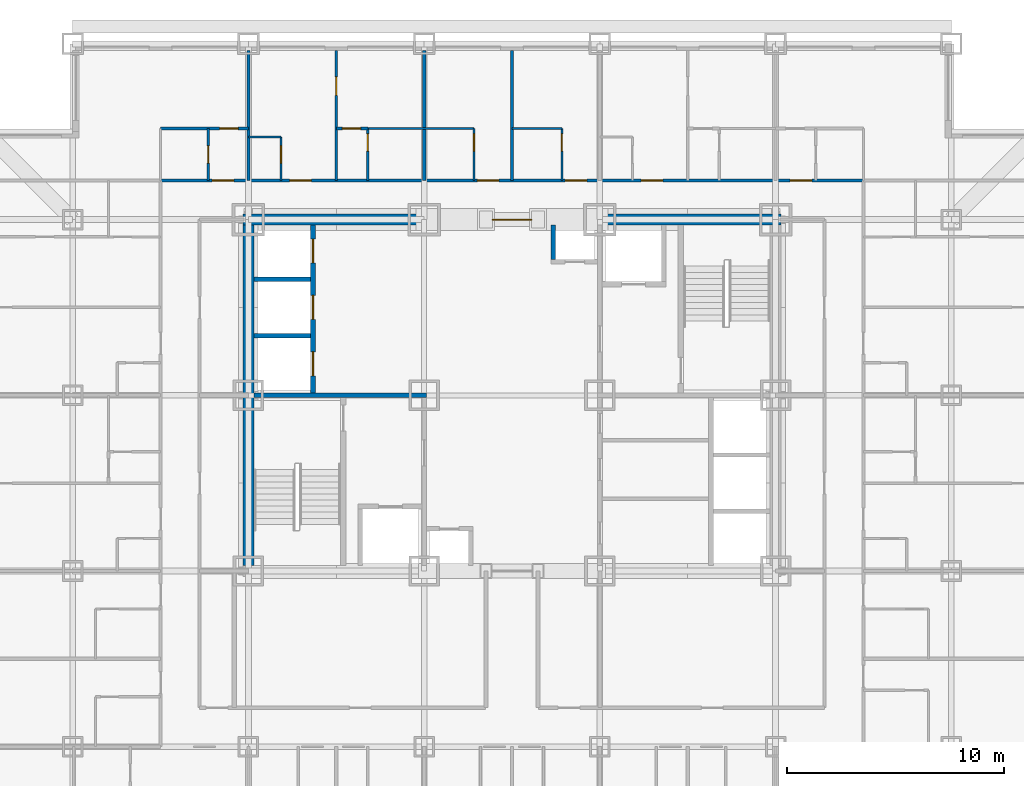
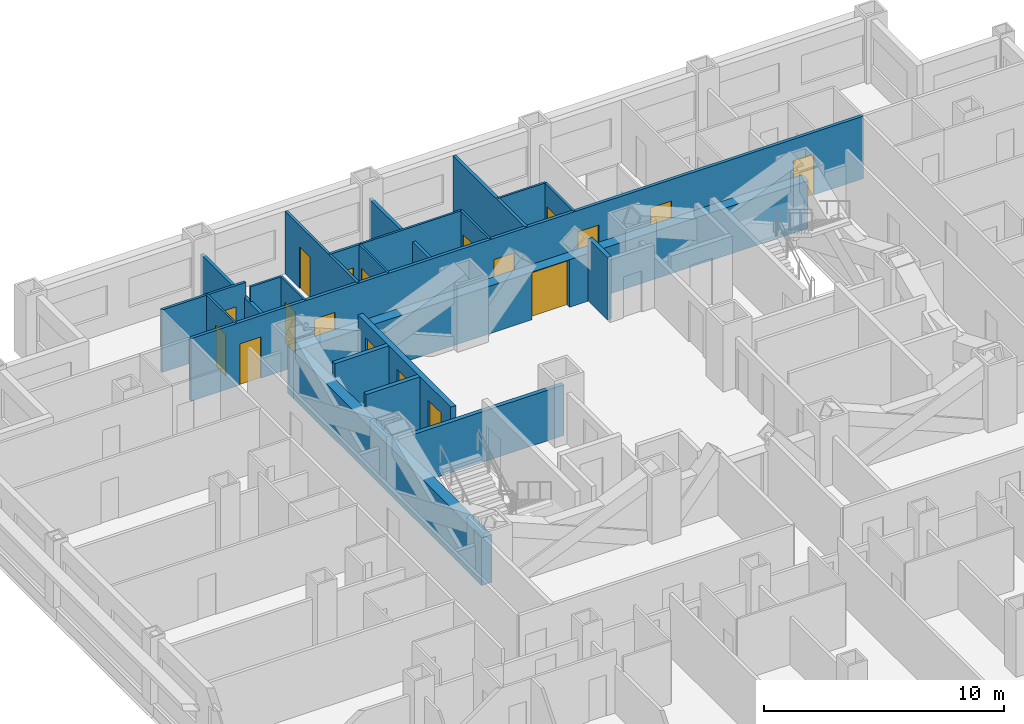
# One storey, part 8 of 11: 22 walls, 18 doors, 18 openings.
"""IFC4 building model written with IfcOpenShell, lengths in metres."""

from ifc_helpers import new_model, si_unit, direction, frame, frame_2d, origin, place, context, subcontext, project, spatial, rectangle, extrude, material, layer, layer_set, type_object, element, fill, save


model = new_model("IFC4")

# Units and contexts
model_context = context("Model", 3, precision=1e-05, world=origin(), true_north=direction((0.0, 1.0)))
body_context = subcontext(model_context, "Body", "Model", "MODEL_VIEW")
ifc_project = project(units=[si_unit("LENGTHUNIT", "METRE"), si_unit("AREAUNIT", "SQUARE_METRE"), si_unit("VOLUMEUNIT", "CUBIC_METRE"), si_unit("PLANEANGLEUNIT", "RADIAN"), si_unit("MASSUNIT", "GRAM", prefix="KILO")], contexts=[model_context])

# Site, building, storey
site_placement = place(None, origin())
site = spatial("IfcSite", under=ifc_project, at=site_placement, CompositionType="ELEMENT")
building_placement = place(site_placement, origin())
building = spatial("IfcBuilding", under=site, at=building_placement, Name="Kopane Lantern Tower", CompositionType="ELEMENT")
storey_placement = place(building_placement, frame((0.0, 0.0, 84.0)))
storey = spatial("IfcBuildingStorey", under=building, at=storey_placement, Name="L21", CompositionType="ELEMENT", Elevation=84.0)

# Wall, opening, door
ifc_material_1 = material(Name="Gypsum board on steel studs", Category="steel")
ifc_layer_1 = layer(ifc_material_1, 0.1201171875)
ifc_layer_set_1 = layer_set([ifc_layer_1], Name="APARTMENT INTERNAL WALL 120")
wall_type_1 = type_object("IfcWallType", Name="APARTMENT INTERNAL WALL 120", PredefinedType="PARTITIONING", material=ifc_layer_set_1)
wall_1_placement = place(storey_placement, frame((20.25, 42.300048828125, 0.0), z_axis=(0.0, 0.0, 1.0), x_axis=(0.0, 1.0, 0.0)))
wall_1 = element("IfcWall", 1, at=wall_1_placement, inside=storey, type_object=wall_type_1, Name="Apartment Internal Wall 120 L21", PredefinedType="PARTITIONING", context=body_context, shape_type="SweptSolid", body=[
    extrude(rectangle(XDim=6.0, YDim=0.1201171875, at=frame_2d((3.0, 0.0))), origin(), (0.0, 0.0, 1.0), 3.18994140625),
])
opening_1_placement = place(wall_1_placement, frame((3.925048828125, 0.0, 0.0)))
opening_1 = element("IfcOpeningElement", 2, at=opening_1_placement, cuts=wall_1, Name="Opening L21-024", PredefinedType="OPENING", context=body_context, shape_type="SweptSolid", body=[
    extrude(rectangle(XDim=0.85009765625, YDim=2.10009765625, at=frame_2d((0.425048828125, 1.050048828125))), frame((0.0, 0.070068359375, 0.0), z_axis=(0.0, -1.0, 0.0), x_axis=(1.0, 0.0, 0.0)), (0.0, 0.0, 1.0), 0.14013671875),
])
ifc_material_2 = material(Name="Timber door set", Category="wood")
door_type_1 = type_object("IfcDoorType", Name="DOOR D4 850x2100", OperationType="SINGLE_SWING_LEFT", PredefinedType="DOOR", material=ifc_material_2)
door_1_placement = place(opening_1_placement, origin())
door_1 = element("IfcDoor", 3, at=door_1_placement, inside=storey, type_object=door_type_1, Name="Door L21-024", OperationType="SINGLE_SWING_RIGHT", OverallHeight=2.10009765625, OverallWidth=0.85009765625, PredefinedType="DOOR", context=body_context, shape_type="SweptSolid", body=[
    extrude(rectangle(XDim=0.85009765625, YDim=2.10009765625, at=frame_2d((0.425048828125, 1.050048828125))), frame((0.0, 0.02490234375, 0.0), z_axis=(0.0, -1.0, 0.0), x_axis=(1.0, 0.0, 0.0)), (0.0, 0.0, 1.0), 0.050048828125),
])
fill(opening_1, door_1)

wall_2_placement = place(storey_placement, frame((12.14990234375, 44.699951171875, 0.0), z_axis=(0.0, 0.0, 1.0), x_axis=(1.0, 0.0, 0.0)))
wall_2 = element("IfcWall", 4, at=wall_2_placement, inside=storey, type_object=wall_type_1, Name="Apartment Internal Wall 120 L21", PredefinedType="PARTITIONING", context=body_context, shape_type="SweptSolid", body=[
    extrude(rectangle(XDim=4.050048828125, YDim=0.1201171875, at=frame_2d((2.02490234375, 0.0))), origin(), (0.0, 0.0, 1.0), 3.18994140625),
])
opening_2_placement = place(wall_2_placement, frame((2.72509765625, 0.0, 0.0)))
opening_2 = element("IfcOpeningElement", 5, at=opening_2_placement, cuts=wall_2, Name="Opening L21-070", PredefinedType="OPENING", context=body_context, shape_type="SweptSolid", body=[
    extrude(rectangle(XDim=0.85009765625, YDim=2.10009765625, at=frame_2d((0.425048828125, 1.050048828125))), frame((0.0, 0.070068359375, 0.0), z_axis=(0.0, -1.0, 0.0), x_axis=(1.0, 0.0, 0.0)), (0.0, 0.0, 1.0), 0.14013671875),
])
door_2_placement = place(opening_2_placement, origin())
door_2 = element("IfcDoor", 6, at=door_2_placement, inside=storey, type_object=door_type_1, Name="Door L21-070", OperationType="SINGLE_SWING_LEFT", OverallHeight=2.10009765625, OverallWidth=0.85009765625, PredefinedType="DOOR", context=body_context, shape_type="SweptSolid", body=[
    extrude(rectangle(XDim=0.85009765625, YDim=2.10009765625, at=frame_2d((0.425048828125, 1.050048828125))), frame((0.0, 0.02490234375, 0.0), z_axis=(0.0, -1.0, 0.0), x_axis=(1.0, 0.0, 0.0)), (0.0, 0.0, 1.0), 0.050048828125),
])
fill(opening_2, door_2)

wall_3_placement = place(storey_placement, frame((20.25, 44.699951171875, 0.0), z_axis=(0.0, 0.0, 1.0), x_axis=(1.0, 0.0, 0.0)))
wall_3 = element("IfcWall", 7, at=wall_3_placement, inside=storey, type_object=wall_type_1, Name="Apartment Internal Wall 120 L21", PredefinedType="PARTITIONING", context=body_context, shape_type="SweptSolid", body=[
    extrude(rectangle(XDim=1.4599609375, YDim=0.1201171875, at=frame_2d((0.72998046875, 0.0))), origin(), (0.0, 0.0, 1.0), 3.18994140625),
])
opening_3_placement = place(wall_3_placement, frame((0.27490234375, 0.0, 0.0)))
opening_3 = element("IfcOpeningElement", 8, at=opening_3_placement, cuts=wall_3, Name="Opening L21-071", PredefinedType="OPENING", context=body_context, shape_type="SweptSolid", body=[
    extrude(rectangle(XDim=0.85009765625, YDim=2.10009765625, at=frame_2d((0.425048828125, 1.050048828125))), frame((0.0, 0.070068359375, 0.0), z_axis=(0.0, -1.0, 0.0), x_axis=(1.0, 0.0, 0.0)), (0.0, 0.0, 1.0), 0.14013671875),
])
door_3_placement = place(opening_3_placement, origin())
door_3 = element("IfcDoor", 9, at=door_3_placement, inside=storey, type_object=door_type_1, Name="Door L21-071", OperationType="SINGLE_SWING_LEFT", OverallHeight=2.10009765625, OverallWidth=0.85009765625, PredefinedType="DOOR", context=body_context, shape_type="SweptSolid", body=[
    extrude(rectangle(XDim=0.85009765625, YDim=2.10009765625, at=frame_2d((0.425048828125, 1.050048828125))), frame((0.0, 0.02490234375, 0.0), z_axis=(0.0, -1.0, 0.0), x_axis=(1.0, 0.0, 0.0)), (0.0, 0.0, 1.0), 0.050048828125),
])
fill(opening_3, door_3)

# Wall
ifc_material_3 = material(Name="Moisture-resistant board on steel studs", Category="steel")
ifc_layer_2 = layer(ifc_material_3, 0.10009765625)
ifc_layer_set_2 = layer_set([ifc_layer_2], Name="BATHROOM WALL 100")
wall_type_2 = type_object("IfcWallType", Name="BATHROOM WALL 100", PredefinedType="PARTITIONING", material=ifc_layer_set_2)
wall_4_placement = place(storey_placement, frame((16.199951171875, 44.300048828125, 0.0), z_axis=(0.0, 0.0, 1.0), x_axis=(1.0, 0.0, 0.0)))
element("IfcWall", 10, at=wall_4_placement, inside=storey, type_object=wall_type_2, Name="Bathroom Wall 100 L21", PredefinedType="PARTITIONING", context=body_context, shape_type="SweptSolid", body=[
    extrude(rectangle(XDim=1.5, YDim=0.10009765625, at=frame_2d((0.75, 0.0))), origin(), (0.0, 0.0, 1.0), 3.18994140625),
])

# Wall, opening, door
wall_5_placement = place(storey_placement, frame((17.699951171875, 42.300048828125, 0.0), z_axis=(0.0, 0.0, 1.0), x_axis=(0.0, 1.0, 0.0)))
wall_5 = element("IfcWall", 11, at=wall_5_placement, inside=storey, type_object=wall_type_2, Name="Bathroom Wall 100 L21", PredefinedType="PARTITIONING", context=body_context, shape_type="SweptSolid", body=[
    extrude(rectangle(XDim=2.0, YDim=0.10009765625, at=frame_2d((1.0, 0.0))), origin(), (0.0, 0.0, 1.0), 3.18994140625),
])
opening_4_placement = place(wall_5_placement, frame((0.800048828125, 0.0, 0.0)))
opening_4 = element("IfcOpeningElement", 12, at=opening_4_placement, cuts=wall_5, Name="Opening L21-021", PredefinedType="OPENING", context=body_context, shape_type="SweptSolid", body=[
    extrude(rectangle(XDim=0.800048828125, YDim=2.10009765625, at=frame_2d((0.39990234375, 1.050048828125))), frame((0.0, 0.06005859375, 0.0), z_axis=(0.0, -1.0, 0.0), x_axis=(1.0, 0.0, 0.0)), (0.0, 0.0, 1.0), 0.1201171875),
])
ifc_material_4 = material(Name="Timber door set", Category="wood")
door_type_2 = type_object("IfcDoorType", Name="DOOR D2 800x2100", OperationType="SINGLE_SWING_LEFT", PredefinedType="DOOR", material=ifc_material_4)
door_4_placement = place(opening_4_placement, origin())
door_4 = element("IfcDoor", 13, at=door_4_placement, inside=storey, type_object=door_type_2, Name="Door L21-021", OperationType="SINGLE_SWING_RIGHT", OverallHeight=2.10009765625, OverallWidth=0.800048828125, PredefinedType="DOOR", context=body_context, shape_type="SweptSolid", body=[
    extrude(rectangle(XDim=0.800048828125, YDim=2.10009765625, at=frame_2d((0.39990234375, 1.050048828125))), frame((0.0, 0.02490234375, 0.0), z_axis=(0.0, -1.0, 0.0), x_axis=(1.0, 0.0, 0.0)), (0.0, 0.0, 1.0), 0.050048828125),
])
fill(opening_4, door_4)

# Wall
wall_6_placement = place(storey_placement, frame((21.699951171875, 44.699951171875, 0.0), z_axis=(0.0, 0.0, 1.0), x_axis=(1.0, 0.0, 0.0)))
element("IfcWall", 14, at=wall_6_placement, inside=storey, type_object=wall_type_2, Name="Bathroom Wall 100 L21", PredefinedType="PARTITIONING", context=body_context, shape_type="SweptSolid", body=[
    extrude(rectangle(XDim=4.900146484375, YDim=0.10009765625, at=frame_2d((2.4501953125, 0.0))), origin(), (0.0, 0.0, 1.0), 3.18994140625),
])

# Wall, opening, door
wall_7_placement = place(storey_placement, frame((21.699951171875, 42.300048828125, 0.0), z_axis=(0.0, 0.0, 1.0), x_axis=(0.0, 1.0, 0.0)))
wall_7 = element("IfcWall", 15, at=wall_7_placement, inside=storey, type_object=wall_type_2, Name="Bathroom Wall 100 L21", PredefinedType="PARTITIONING", context=body_context, shape_type="SweptSolid", body=[
    extrude(rectangle(XDim=2.39990234375, YDim=0.10009765625, at=frame_2d((1.199951171875, 0.0))), origin(), (0.0, 0.0, 1.0), 3.18994140625),
])
opening_5_placement = place(wall_7_placement, frame((1.35009765625, 0.0, 0.0)))
opening_5 = element("IfcOpeningElement", 16, at=opening_5_placement, cuts=wall_7, Name="Opening L21-023", PredefinedType="OPENING", context=body_context, shape_type="SweptSolid", body=[
    extrude(rectangle(XDim=0.800048828125, YDim=2.10009765625, at=frame_2d((0.39990234375, 1.050048828125))), frame((0.0, 0.06005859375, 0.0), z_axis=(0.0, -1.0, 0.0), x_axis=(1.0, 0.0, 0.0)), (0.0, 0.0, 1.0), 0.1201171875),
])
door_5_placement = place(opening_5_placement, origin())
door_5 = element("IfcDoor", 17, at=door_5_placement, inside=storey, type_object=door_type_2, Name="Door L21-023", OperationType="SINGLE_SWING_RIGHT", OverallHeight=2.10009765625, OverallWidth=0.800048828125, PredefinedType="DOOR", context=body_context, shape_type="SweptSolid", body=[
    extrude(rectangle(XDim=0.800048828125, YDim=2.10009765625, at=frame_2d((0.39990234375, 1.050048828125))), frame((0.0, 0.02490234375, 0.0), z_axis=(0.0, -1.0, 0.0), x_axis=(1.0, 0.0, 0.0)), (0.0, 0.0, 1.0), 0.050048828125),
])
fill(opening_5, door_5)

wall_8_placement = place(storey_placement, frame((26.60009765625, 42.300048828125, 0.0), z_axis=(0.0, 0.0, 1.0), x_axis=(0.0, 1.0, 0.0)))
wall_8 = element("IfcWall", 18, at=wall_8_placement, inside=storey, type_object=wall_type_2, Name="Bathroom Wall 100 L21", PredefinedType="PARTITIONING", context=body_context, shape_type="SweptSolid", body=[
    extrude(rectangle(XDim=2.39990234375, YDim=0.10009765625, at=frame_2d((1.199951171875, 0.0))), origin(), (0.0, 0.0, 1.0), 3.18994140625),
])
opening_6_placement = place(wall_8_placement, frame((1.35009765625, 0.0, 0.0)))
opening_6 = element("IfcOpeningElement", 19, at=opening_6_placement, cuts=wall_8, Name="Opening L21-025", PredefinedType="OPENING", context=body_context, shape_type="SweptSolid", body=[
    extrude(rectangle(XDim=0.800048828125, YDim=2.10009765625, at=frame_2d((0.39990234375, 1.050048828125))), frame((0.0, 0.06005859375, 0.0), z_axis=(0.0, -1.0, 0.0), x_axis=(1.0, 0.0, 0.0)), (0.0, 0.0, 1.0), 0.1201171875),
])
door_6_placement = place(opening_6_placement, origin())
door_6 = element("IfcDoor", 20, at=door_6_placement, inside=storey, type_object=door_type_2, Name="Door L21-025", OperationType="SINGLE_SWING_RIGHT", OverallHeight=2.10009765625, OverallWidth=0.800048828125, PredefinedType="DOOR", context=body_context, shape_type="SweptSolid", body=[
    extrude(rectangle(XDim=0.800048828125, YDim=2.10009765625, at=frame_2d((0.39990234375, 1.050048828125))), frame((0.0, 0.02490234375, 0.0), z_axis=(0.0, -1.0, 0.0), x_axis=(1.0, 0.0, 0.0)), (0.0, 0.0, 1.0), 0.050048828125),
])
fill(opening_6, door_6)

# Wall
wall_9_placement = place(storey_placement, frame((28.35009765625, 44.699951171875, 0.0), z_axis=(0.0, 0.0, 1.0), x_axis=(1.0, 0.0, 0.0)))
element("IfcWall", 21, at=wall_9_placement, inside=storey, type_object=wall_type_2, Name="Bathroom Wall 100 L21", PredefinedType="PARTITIONING", context=body_context, shape_type="SweptSolid", body=[
    extrude(rectangle(XDim=2.2998046875, YDim=0.10009765625, at=frame_2d((1.14990234375, 0.0))), origin(), (0.0, 0.0, 1.0), 3.18994140625),
])

# Wall, opening, door
wall_10_placement = place(storey_placement, frame((30.64990234375, 42.300048828125, 0.0), z_axis=(0.0, 0.0, 1.0), x_axis=(0.0, 1.0, 0.0)))
wall_10 = element("IfcWall", 22, at=wall_10_placement, inside=storey, type_object=wall_type_2, Name="Bathroom Wall 100 L21", PredefinedType="PARTITIONING", context=body_context, shape_type="SweptSolid", body=[
    extrude(rectangle(XDim=2.39990234375, YDim=0.10009765625, at=frame_2d((1.199951171875, 0.0))), origin(), (0.0, 0.0, 1.0), 3.18994140625),
])
opening_7_placement = place(wall_10_placement, frame((1.35009765625, 0.0, 0.0)))
opening_7 = element("IfcOpeningElement", 23, at=opening_7_placement, cuts=wall_10, Name="Opening L21-027", PredefinedType="OPENING", context=body_context, shape_type="SweptSolid", body=[
    extrude(rectangle(XDim=0.800048828125, YDim=2.10009765625, at=frame_2d((0.39990234375, 1.050048828125))), frame((0.0, 0.06005859375, 0.0), z_axis=(0.0, -1.0, 0.0), x_axis=(1.0, 0.0, 0.0)), (0.0, 0.0, 1.0), 0.1201171875),
])
door_7_placement = place(opening_7_placement, origin())
door_7 = element("IfcDoor", 24, at=door_7_placement, inside=storey, type_object=door_type_2, Name="Door L21-027", OperationType="SINGLE_SWING_RIGHT", OverallHeight=2.10009765625, OverallWidth=0.800048828125, PredefinedType="DOOR", context=body_context, shape_type="SweptSolid", body=[
    extrude(rectangle(XDim=0.800048828125, YDim=2.10009765625, at=frame_2d((0.39990234375, 1.050048828125))), frame((0.0, 0.02490234375, 0.0), z_axis=(0.0, -1.0, 0.0), x_axis=(1.0, 0.0, 0.0)), (0.0, 0.0, 1.0), 0.050048828125),
])
fill(opening_7, door_7)

wall_11_placement = place(storey_placement, frame((14.35009765625, 42.300048828125, 0.0), z_axis=(0.0, 0.0, 1.0), x_axis=(0.0, 1.0, 0.0)))
wall_11 = element("IfcWall", 25, at=wall_11_placement, inside=storey, type_object=wall_type_2, Name="Bathroom Wall 100 L21", PredefinedType="PARTITIONING", context=body_context, shape_type="SweptSolid", body=[
    extrude(rectangle(XDim=2.39990234375, YDim=0.10009765625, at=frame_2d((1.199951171875, 0.0))), origin(), (0.0, 0.0, 1.0), 3.18994140625),
])
opening_8_placement = place(wall_11_placement, frame((0.800048828125, 0.0, 0.0)))
opening_8 = element("IfcOpeningElement", 26, at=opening_8_placement, cuts=wall_11, Name="Opening L21-068", PredefinedType="OPENING", context=body_context, shape_type="SweptSolid", body=[
    extrude(rectangle(XDim=0.800048828125, YDim=2.10009765625, at=frame_2d((0.39990234375, 1.050048828125))), frame((0.0, 0.06005859375, 0.0), z_axis=(0.0, -1.0, 0.0), x_axis=(1.0, 0.0, 0.0)), (0.0, 0.0, 1.0), 0.1201171875),
])
door_8_placement = place(opening_8_placement, origin())
door_8 = element("IfcDoor", 27, at=door_8_placement, inside=storey, type_object=door_type_2, Name="Door L21-068", OperationType="SINGLE_SWING_LEFT", OverallHeight=2.10009765625, OverallWidth=0.800048828125, PredefinedType="DOOR", context=body_context, shape_type="SweptSolid", body=[
    extrude(rectangle(XDim=0.800048828125, YDim=2.10009765625, at=frame_2d((0.39990234375, 1.050048828125))), frame((0.0, 0.02490234375, 0.0), z_axis=(0.0, -1.0, 0.0), x_axis=(1.0, 0.0, 0.0)), (0.0, 0.0, 1.0), 0.050048828125),
])
fill(opening_8, door_8)

ifc_material_5 = material(Name="Gypsum shaft wall EI 120", Category="gypsum")
ifc_layer_3 = layer(ifc_material_5, 0.5)
ifc_layer_set_3 = layer_set([ifc_layer_3], Name="CORE PERIMETER WALL 500 EI 120")
wall_type_3 = type_object("IfcWallType", Name="CORE PERIMETER WALL 500 EI 120", PredefinedType="SOLIDWALL", material=ifc_layer_set_3)
wall_12_placement = place(storey_placement, frame((15.949951171875, 40.5, 0.0), z_axis=(0.0, 0.0, 1.0), x_axis=(1.0, 0.0, 0.0)))
wall_12 = element("IfcWall", 28, at=wall_12_placement, inside=storey, type_object=wall_type_3, Name="Core shaft wall L21 PN", PredefinedType="SOLIDWALL", context=body_context, shape_type="SweptSolid", body=[
    extrude(rectangle(XDim=24.800048828125, YDim=0.5, at=frame_2d((12.39990234375, 0.0))), origin(), (0.0, 0.0, 1.0), 2.427734375),
])
opening_9_placement = place(wall_12_placement, frame((11.5, 0.0, 0.0)))
opening_9 = element("IfcOpeningElement", 29, at=opening_9_placement, cuts=wall_12, Name="Opening 21.CE-N", PredefinedType="OPENING", context=body_context, shape_type="SweptSolid", body=[
    extrude(rectangle(XDim=1.800048828125, YDim=2.39990234375, at=frame_2d((0.89990234375, 1.199951171875))), frame((0.0, 0.260009765625, 0.0), z_axis=(0.0, -1.0, 0.0), x_axis=(1.0, 0.0, 0.0)), (0.0, 0.0, 1.0), 0.52001953125),
])
ifc_material_6 = material(Name="Steel door set", Category="steel")
door_type_3 = type_object("IfcDoorType", Name="CORE ENTRY DOOR 1800x2400 FD60S", OperationType="DOUBLE_DOOR_SINGLE_SWING", PredefinedType="DOOR", material=ifc_material_6)
door_9_placement = place(opening_9_placement, origin())
door_9 = element("IfcDoor", 30, at=door_9_placement, inside=storey, type_object=door_type_3, Name="Core entry door L21 north", OperationType="DOUBLE_DOOR_SINGLE_SWING", OverallHeight=2.39990234375, OverallWidth=1.800048828125, PredefinedType="DOOR", context=body_context, shape_type="SweptSolid", body=[
    extrude(rectangle(XDim=1.800048828125, YDim=2.39990234375, at=frame_2d((0.89990234375, 1.199951171875))), frame((0.0, 0.02490234375, 0.0), z_axis=(0.0, -1.0, 0.0), x_axis=(1.0, 0.0, 0.0)), (0.0, 0.0, 1.0), 0.050048828125),
])
fill(opening_9, door_9)

# Wall
wall_13_placement = place(storey_placement, frame((16.199951171875, 24.550048828125, 0.0), z_axis=(0.0, 0.0, 1.0), x_axis=(0.0, 1.0, 0.0)))
element("IfcWall", 31, at=wall_13_placement, inside=storey, type_object=wall_type_3, Name="Core shaft wall L21 PW", PredefinedType="SOLIDWALL", context=body_context, shape_type="SweptSolid", body=[
    extrude(rectangle(XDim=15.699951171875, YDim=0.5, at=frame_2d((7.85009765625, 0.0))), origin(), (0.0, 0.0, 1.0), 2.427734375),
])

# Wall, openings, doors
ifc_material_7 = material(Name="Gypsum shaft wall EI 120", Category="gypsum")
ifc_layer_4 = layer(ifc_material_7, 0.25)
ifc_layer_set_4 = layer_set([ifc_layer_4], Name="CORE SHAFT WALL 250 EI 120")
wall_type_4 = type_object("IfcWallType", Name="CORE SHAFT WALL 250 EI 120", PredefinedType="SOLIDWALL", material=ifc_layer_set_4)
wall_14_placement = place(storey_placement, frame((19.175048828125, 32.5, 0.0), z_axis=(0.0, 0.0, 1.0), x_axis=(0.0, 1.0, 0.0)))
wall_14 = element("IfcWall", 32, at=wall_14_placement, inside=storey, type_object=wall_type_4, Name="Core shaft wall L21 XLH", PredefinedType="SOLIDWALL", context=body_context, shape_type="SweptSolid", body=[
    extrude(rectangle(XDim=7.75, YDim=0.25, at=frame_2d((3.875, 0.0))), origin(), (0.0, 0.0, 1.0), 3.18994140625),
])
opening_10_placement = place(wall_14_placement, frame((0.800048828125, 0.0, 0.0)))
opening_10 = element("IfcOpeningElement", 33, at=opening_10_placement, cuts=wall_14, Name="Opening 21.LD-LH1", PredefinedType="OPENING", context=body_context, shape_type="SweptSolid", body=[
    extrude(rectangle(XDim=1.10009765625, YDim=2.39990234375, at=frame_2d((0.550048828125, 1.199951171875))), frame((0.0, 0.135009765625, 0.0), z_axis=(0.0, -1.0, 0.0), x_axis=(1.0, 0.0, 0.0)), (0.0, 0.0, 1.0), 0.27001953125),
])
opening_11_placement = place(wall_14_placement, frame((3.39990234375, 0.0, 0.0)))
opening_11 = element("IfcOpeningElement", 34, at=opening_11_placement, cuts=wall_14, Name="Opening 21.LD-LH2", PredefinedType="OPENING", context=body_context, shape_type="SweptSolid", body=[
    extrude(rectangle(XDim=1.10009765625, YDim=2.39990234375, at=frame_2d((0.550048828125, 1.199951171875))), frame((0.0, 0.135009765625, 0.0), z_axis=(0.0, -1.0, 0.0), x_axis=(1.0, 0.0, 0.0)), (0.0, 0.0, 1.0), 0.27001953125),
])
opening_12_placement = place(wall_14_placement, frame((6.0, 0.0, 0.0)))
opening_12 = element("IfcOpeningElement", 35, at=opening_12_placement, cuts=wall_14, Name="Opening 21.LD-LH3", PredefinedType="OPENING", context=body_context, shape_type="SweptSolid", body=[
    extrude(rectangle(XDim=1.10009765625, YDim=2.39990234375, at=frame_2d((0.550048828125, 1.199951171875))), frame((0.0, 0.135009765625, 0.0), z_axis=(0.0, -1.0, 0.0), x_axis=(1.0, 0.0, 0.0)), (0.0, 0.0, 1.0), 0.27001953125),
])
ifc_material_8 = material(Name="Steel door set", Category="steel")
door_type_4 = type_object("IfcDoorType", Name="LIFT LANDING DOOR 1100x2400 FD60", OperationType="DOUBLE_DOOR_SLIDING", PredefinedType="DOOR", material=ifc_material_8)
door_10_placement = place(opening_10_placement, origin())
door_10 = element("IfcDoor", 36, at=door_10_placement, inside=storey, type_object=door_type_4, Name="Landing door LH1 L21", OperationType="DOUBLE_DOOR_SLIDING", OverallHeight=2.39990234375, OverallWidth=1.10009765625, PredefinedType="DOOR", context=body_context, shape_type="SweptSolid", body=[
    extrude(rectangle(XDim=1.10009765625, YDim=2.39990234375, at=frame_2d((0.550048828125, 1.199951171875))), frame((0.0, 0.02490234375, 0.0), z_axis=(0.0, -1.0, 0.0), x_axis=(1.0, 0.0, 0.0)), (0.0, 0.0, 1.0), 0.050048828125),
])
fill(opening_10, door_10)
door_11_placement = place(opening_11_placement, origin())
door_11 = element("IfcDoor", 37, at=door_11_placement, inside=storey, type_object=door_type_4, Name="Landing door LH2 L21", OperationType="DOUBLE_DOOR_SLIDING", OverallHeight=2.39990234375, OverallWidth=1.10009765625, PredefinedType="DOOR", context=body_context, shape_type="SweptSolid", body=[
    extrude(rectangle(XDim=1.10009765625, YDim=2.39990234375, at=frame_2d((0.550048828125, 1.199951171875))), frame((0.0, 0.02490234375, 0.0), z_axis=(0.0, -1.0, 0.0), x_axis=(1.0, 0.0, 0.0)), (0.0, 0.0, 1.0), 0.050048828125),
])
fill(opening_11, door_11)
door_12_placement = place(opening_12_placement, origin())
door_12 = element("IfcDoor", 38, at=door_12_placement, inside=storey, type_object=door_type_4, Name="Landing door LH3 L21", OperationType="DOUBLE_DOOR_SLIDING", OverallHeight=2.39990234375, OverallWidth=1.10009765625, PredefinedType="DOOR", context=body_context, shape_type="SweptSolid", body=[
    extrude(rectangle(XDim=1.10009765625, YDim=2.39990234375, at=frame_2d((0.550048828125, 1.199951171875))), frame((0.0, 0.02490234375, 0.0), z_axis=(0.0, -1.0, 0.0), x_axis=(1.0, 0.0, 0.0)), (0.0, 0.0, 1.0), 0.050048828125),
])
fill(opening_12, door_12)

ifc_material_9 = material(Name="Gypsum board on steel studs", Category="steel")
ifc_layer_5 = layer(ifc_material_9, 0.14990234375)
ifc_layer_set_5 = layer_set([ifc_layer_5], Name="CORRIDOR WALL 150 EI 60")
wall_type_5 = type_object("IfcWallType", Name="CORRIDOR WALL 150 EI 60", PredefinedType="PARTITIONING", material=ifc_layer_set_5)
wall_15_placement = place(storey_placement, frame((12.14990234375, 42.300048828125, 0.0), z_axis=(0.0, 0.0, 1.0), x_axis=(1.0, 0.0, 0.0)))
wall_15 = element("IfcWall", 39, at=wall_15_placement, inside=storey, type_object=wall_type_5, Name="Corridor Wall 150 Ei 60 L21", PredefinedType="PARTITIONING", context=body_context, shape_type="SweptSolid", body=[
    extrude(rectangle(XDim=32.400146484375, YDim=0.14990234375, at=frame_2d((16.2001953125, 0.0))), origin(), (0.0, 0.0, 1.0), 3.18994140625),
])
opening_13_placement = place(wall_15_placement, frame((5.949951171875, 0.0, 0.0)))
opening_13 = element("IfcOpeningElement", 40, at=opening_13_placement, cuts=wall_15, Name="Opening L21-022", PredefinedType="OPENING", context=body_context, shape_type="SweptSolid", body=[
    extrude(rectangle(XDim=1.0, YDim=2.10009765625, at=frame_2d((0.5, 1.050048828125))), frame((0.0, 0.0849609375, 0.0), z_axis=(0.0, -1.0, 0.0), x_axis=(1.0, 0.0, 0.0)), (0.0, 0.0, 1.0), 0.169921875),
])
opening_14_placement = place(wall_15_placement, frame((14.60009765625, 0.0, 0.0)))
opening_14 = element("IfcOpeningElement", 41, at=opening_14_placement, cuts=wall_15, Name="Opening L21-026", PredefinedType="OPENING", context=body_context, shape_type="SweptSolid", body=[
    extrude(rectangle(XDim=1.0, YDim=2.10009765625, at=frame_2d((0.5, 1.050048828125))), frame((0.0, 0.0849609375, 0.0), z_axis=(0.0, -1.0, 0.0), x_axis=(1.0, 0.0, 0.0)), (0.0, 0.0, 1.0), 0.169921875),
])
opening_15_placement = place(wall_15_placement, frame((18.64990234375, 0.0, 0.0)))
opening_15 = element("IfcOpeningElement", 42, at=opening_15_placement, cuts=wall_15, Name="Opening L21-028", PredefinedType="OPENING", context=body_context, shape_type="SweptSolid", body=[
    extrude(rectangle(XDim=1.0, YDim=2.10009765625, at=frame_2d((0.5, 1.050048828125))), frame((0.0, 0.0849609375, 0.0), z_axis=(0.0, -1.0, 0.0), x_axis=(1.0, 0.0, 0.0)), (0.0, 0.0, 1.0), 0.169921875),
])
opening_16_placement = place(wall_15_placement, frame((22.14990234375, 0.0, 0.0)))
opening_16 = element("IfcOpeningElement", 43, at=opening_16_placement, cuts=wall_15, Name="Opening L21-030", PredefinedType="OPENING", context=body_context, shape_type="SweptSolid", body=[
    extrude(rectangle(XDim=1.0, YDim=2.10009765625, at=frame_2d((0.5, 1.050048828125))), frame((0.0, 0.0849609375, 0.0), z_axis=(0.0, -1.0, 0.0), x_axis=(1.0, 0.0, 0.0)), (0.0, 0.0, 1.0), 0.169921875),
])
opening_17_placement = place(wall_15_placement, frame((29.02490234375, 0.0, 0.0)))
opening_17 = element("IfcOpeningElement", 44, at=opening_17_placement, cuts=wall_15, Name="Opening L21-066", PredefinedType="OPENING", context=body_context, shape_type="SweptSolid", body=[
    extrude(rectangle(XDim=1.0, YDim=2.10009765625, at=frame_2d((0.5, 1.050048828125))), frame((0.0, 0.0849609375, 0.0), z_axis=(0.0, -1.0, 0.0), x_axis=(1.0, 0.0, 0.0)), (0.0, 0.0, 1.0), 0.169921875),
])
opening_18_placement = place(wall_15_placement, frame((2.375, 0.0, 0.0)))
opening_18 = element("IfcOpeningElement", 45, at=opening_18_placement, cuts=wall_15, Name="Opening L21-069", PredefinedType="OPENING", context=body_context, shape_type="SweptSolid", body=[
    extrude(rectangle(XDim=1.0, YDim=2.10009765625, at=frame_2d((0.5, 1.050048828125))), frame((0.0, 0.0849609375, 0.0), z_axis=(0.0, -1.0, 0.0), x_axis=(1.0, 0.0, 0.0)), (0.0, 0.0, 1.0), 0.169921875),
])
ifc_material_10 = material(Name="Steel door set", Category="steel")
door_type_5 = type_object("IfcDoorType", Name="DOOR D1 1000x2100 FD30S", OperationType="SINGLE_SWING_LEFT", PredefinedType="DOOR", material=ifc_material_10)
door_13_placement = place(opening_13_placement, origin())
door_13 = element("IfcDoor", 46, at=door_13_placement, inside=storey, type_object=door_type_5, Name="Door L21-022", OperationType="SINGLE_SWING_LEFT", OverallHeight=2.10009765625, OverallWidth=1.0, PredefinedType="DOOR", context=body_context, shape_type="SweptSolid", body=[
    extrude(rectangle(XDim=1.0, YDim=2.10009765625, at=frame_2d((0.5, 1.050048828125))), frame((0.0, 0.02490234375, 0.0), z_axis=(0.0, -1.0, 0.0), x_axis=(1.0, 0.0, 0.0)), (0.0, 0.0, 1.0), 0.050048828125),
])
fill(opening_13, door_13)
door_14_placement = place(opening_14_placement, origin())
door_14 = element("IfcDoor", 47, at=door_14_placement, inside=storey, type_object=door_type_5, Name="Door L21-026", OperationType="SINGLE_SWING_LEFT", OverallHeight=2.10009765625, OverallWidth=1.0, PredefinedType="DOOR", context=body_context, shape_type="SweptSolid", body=[
    extrude(rectangle(XDim=1.0, YDim=2.10009765625, at=frame_2d((0.5, 1.050048828125))), frame((0.0, 0.02490234375, 0.0), z_axis=(0.0, -1.0, 0.0), x_axis=(1.0, 0.0, 0.0)), (0.0, 0.0, 1.0), 0.050048828125),
])
fill(opening_14, door_14)
door_15_placement = place(opening_15_placement, origin())
door_15 = element("IfcDoor", 48, at=door_15_placement, inside=storey, type_object=door_type_5, Name="Door L21-028", OperationType="SINGLE_SWING_LEFT", OverallHeight=2.10009765625, OverallWidth=1.0, PredefinedType="DOOR", context=body_context, shape_type="SweptSolid", body=[
    extrude(rectangle(XDim=1.0, YDim=2.10009765625, at=frame_2d((0.5, 1.050048828125))), frame((0.0, 0.02490234375, 0.0), z_axis=(0.0, -1.0, 0.0), x_axis=(1.0, 0.0, 0.0)), (0.0, 0.0, 1.0), 0.050048828125),
])
fill(opening_15, door_15)
door_16_placement = place(opening_16_placement, origin())
door_16 = element("IfcDoor", 49, at=door_16_placement, inside=storey, type_object=door_type_5, Name="Door L21-030", OperationType="SINGLE_SWING_LEFT", OverallHeight=2.10009765625, OverallWidth=1.0, PredefinedType="DOOR", context=body_context, shape_type="SweptSolid", body=[
    extrude(rectangle(XDim=1.0, YDim=2.10009765625, at=frame_2d((0.5, 1.050048828125))), frame((0.0, 0.02490234375, 0.0), z_axis=(0.0, -1.0, 0.0), x_axis=(1.0, 0.0, 0.0)), (0.0, 0.0, 1.0), 0.050048828125),
])
fill(opening_16, door_16)
door_17_placement = place(opening_17_placement, origin())
door_17 = element("IfcDoor", 50, at=door_17_placement, inside=storey, type_object=door_type_5, Name="Door L21-066", OperationType="SINGLE_SWING_RIGHT", OverallHeight=2.10009765625, OverallWidth=1.0, PredefinedType="DOOR", context=body_context, shape_type="SweptSolid", body=[
    extrude(rectangle(XDim=1.0, YDim=2.10009765625, at=frame_2d((0.5, 1.050048828125))), frame((0.0, 0.02490234375, 0.0), z_axis=(0.0, -1.0, 0.0), x_axis=(1.0, 0.0, 0.0)), (0.0, 0.0, 1.0), 0.050048828125),
])
fill(opening_17, door_17)
door_18_placement = place(opening_18_placement, origin())
door_18 = element("IfcDoor", 51, at=door_18_placement, inside=storey, type_object=door_type_5, Name="Door L21-069", OperationType="SINGLE_SWING_LEFT", OverallHeight=2.10009765625, OverallWidth=1.0, PredefinedType="DOOR", context=body_context, shape_type="SweptSolid", body=[
    extrude(rectangle(XDim=1.0, YDim=2.10009765625, at=frame_2d((0.5, 1.050048828125))), frame((0.0, 0.02490234375, 0.0), z_axis=(0.0, -1.0, 0.0), x_axis=(1.0, 0.0, 0.0)), (0.0, 0.0, 1.0), 0.050048828125),
])
fill(opening_18, door_18)

# Walls
ifc_material_11 = material(Name="Gypsum board on steel studs", Category="steel")
ifc_layer_6 = layer(ifc_material_11, 0.14990234375)
ifc_layer_set_6 = layer_set([ifc_layer_6], Name="DEMISING WALL 150 EI 60")
wall_type_6 = type_object("IfcWallType", Name="DEMISING WALL 150 EI 60", PredefinedType="PARTITIONING", material=ifc_layer_set_6)
wall_16_placement = place(storey_placement, frame((24.300048828125, 42.300048828125, 0.0), z_axis=(0.0, 0.0, 1.0), x_axis=(0.0, 1.0, 0.0)))
element("IfcWall", 52, at=wall_16_placement, inside=storey, type_object=wall_type_6, Name="Demising Wall 150 Ei 60 L21", PredefinedType="PARTITIONING", context=body_context, shape_type="SweptSolid", body=[
    extrude(rectangle(XDim=6.0, YDim=0.14990234375, at=frame_2d((3.0, 0.0))), origin(), (0.0, 0.0, 1.0), 2.427734375),
])
wall_17_placement = place(storey_placement, frame((28.35009765625, 42.300048828125, 0.0), z_axis=(0.0, 0.0, 1.0), x_axis=(0.0, 1.0, 0.0)))
element("IfcWall", 53, at=wall_17_placement, inside=storey, type_object=wall_type_6, Name="Demising Wall 150 Ei 60 L21", PredefinedType="PARTITIONING", context=body_context, shape_type="SweptSolid", body=[
    extrude(rectangle(XDim=6.0, YDim=0.14990234375, at=frame_2d((3.0, 0.0))), origin(), (0.0, 0.0, 1.0), 3.18994140625),
])
wall_18_placement = place(storey_placement, frame((16.199951171875, 42.300048828125, 0.0), z_axis=(0.0, 0.0, 1.0), x_axis=(0.0, 1.0, 0.0)))
element("IfcWall", 54, at=wall_18_placement, inside=storey, type_object=wall_type_6, Name="Demising Wall 150 Ei 60 L21", PredefinedType="PARTITIONING", context=body_context, shape_type="SweptSolid", body=[
    extrude(rectangle(XDim=6.0, YDim=0.14990234375, at=frame_2d((3.0, 0.0))), origin(), (0.0, 0.0, 1.0), 2.427734375),
])
ifc_material_12 = material(Name="Gypsum shaft wall EI 120", Category="gypsum")
ifc_layer_7 = layer(ifc_material_12, 0.199951171875)
ifc_layer_set_7 = layer_set([ifc_layer_7], Name="SHAFT WALL 200 EI 120")
wall_type_7 = type_object("IfcWallType", Name="SHAFT WALL 200 EI 120", PredefinedType="SOLIDWALL", material=ifc_layer_set_7)
wall_19_placement = place(storey_placement, frame((16.449951171875, 32.39990234375, 0.0), z_axis=(0.0, 0.0, 1.0), x_axis=(1.0, 0.0, 0.0)))
element("IfcWall", 55, at=wall_19_placement, inside=storey, type_object=wall_type_7, Name="Core shaft wall L21 Y324W", PredefinedType="SOLIDWALL", context=body_context, shape_type="SweptSolid", body=[
    extrude(rectangle(XDim=7.949951171875, YDim=0.199951171875, at=frame_2d((3.97509765625, 0.0))), origin(), (0.0, 0.0, 1.0), 2.577880859375),
])
for number, where, z_axis, x_axis, name in (
    (56, (16.449951171875, 35.14990234375, 0.0), (0.0, 0.0, 1.0), (1.0, 0.0, 0.0), "Core shaft wall L21 YLH12"),
    (57, (16.449951171875, 37.75, 0.0), (0.0, 0.0, 1.0), (1.0, 0.0, 0.0), "Core shaft wall L21 YLH23"),
):
    element("IfcWall", number, at=place(storey_placement, frame(where, z_axis=z_axis, x_axis=x_axis)), inside=storey, type_object=wall_type_7, Name=name, PredefinedType="SOLIDWALL", context=body_context, shape_type="SweptSolid", body=[
        extrude(rectangle(XDim=2.60009765625, YDim=0.199951171875, at=frame_2d((1.300048828125, 0.0))), origin(), (0.0, 0.0, 1.0), 3.18994140625),
    ])
wall_20_placement = place(storey_placement, frame((30.25, 38.64990234375, 0.0), z_axis=(0.0, 0.0, 1.0), x_axis=(0.0, 1.0, 0.0)))
element("IfcWall", 58, at=wall_20_placement, inside=storey, type_object=wall_type_7, Name="Core shaft wall L21 XRS2", PredefinedType="SOLIDWALL", context=body_context, shape_type="SweptSolid", body=[
    extrude(rectangle(XDim=1.60009765625, YDim=0.199951171875, at=frame_2d((0.800048828125, 0.0))), origin(), (0.0, 0.0, 1.0), 3.18994140625),
])

save(model, "model.ifc")
